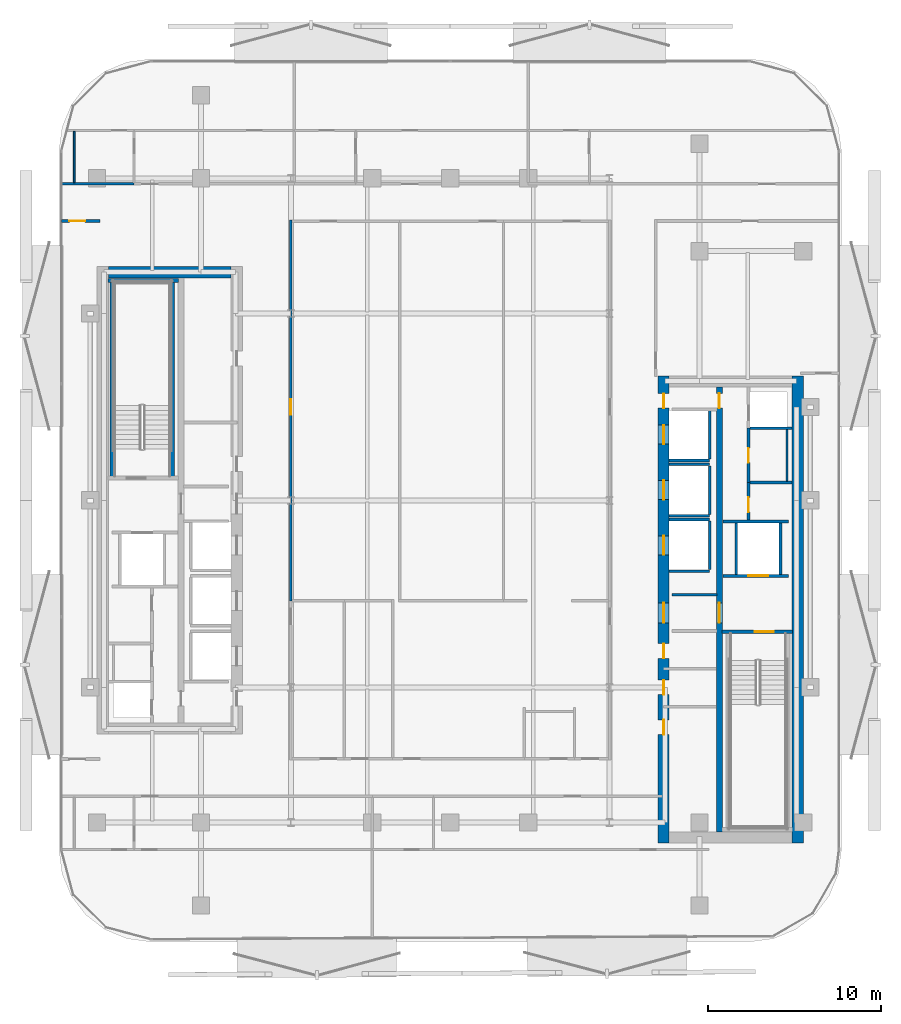
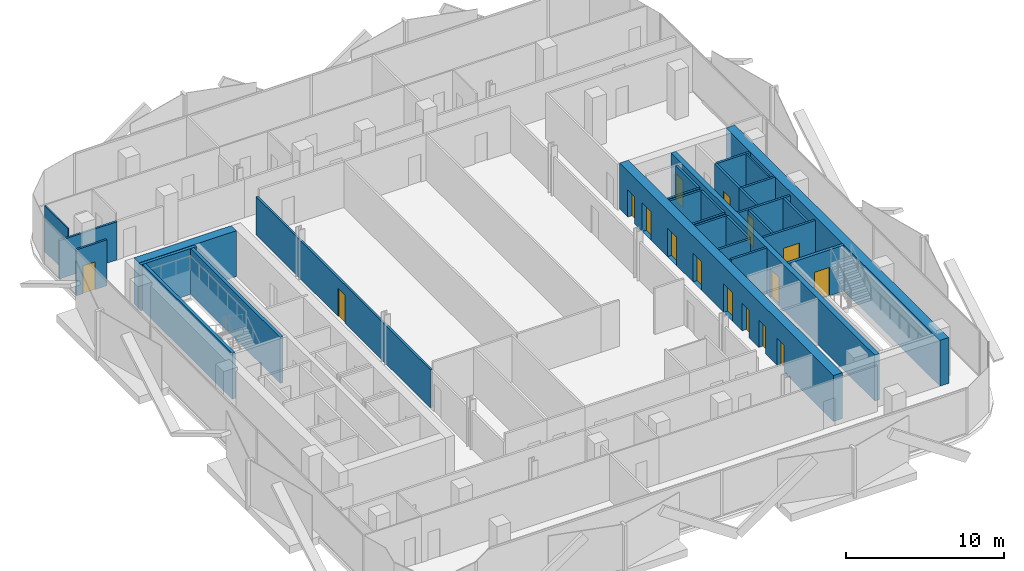
# One storey, part 5 of 16: 30 walls, 16 doors, 16 openings.
"""IFC4 building model written with IfcOpenShell, lengths in metres."""

from ifc_helpers import new_model, si_unit, direction, frame, frame_2d, origin, place, context, subcontext, project, spatial, rectangle, extrude, material, layer, layer_set, type_object, element, fill, save


model = new_model("IFC4")

# Units and contexts
model_context = context("Model", 3, precision=1e-05, world=origin(), true_north=direction((0.0, 1.0)))
body_context = subcontext(model_context, "Body", "Model", "MODEL_VIEW")
ifc_project = project(units=[si_unit("LENGTHUNIT", "METRE"), si_unit("AREAUNIT", "SQUARE_METRE"), si_unit("VOLUMEUNIT", "CUBIC_METRE"), si_unit("PLANEANGLEUNIT", "RADIAN"), si_unit("MASSUNIT", "GRAM", prefix="KILO")], contexts=[model_context])

# Site, building, storey
site_placement = place(None, origin())
site = spatial("IfcSite", under=ifc_project, at=site_placement, CompositionType="ELEMENT")
building_placement = place(site_placement, origin())
building = spatial("IfcBuilding", under=site, at=building_placement, Name="Khairoan Windgate Tower", CompositionType="ELEMENT")
storey_placement = place(building_placement, frame((0.0, 0.0, 184.0)))
storey = spatial("IfcBuildingStorey", under=building, at=storey_placement, Name="L42", CompositionType="ELEMENT", Elevation=184.0)

# Walls
ifc_material_1 = material(Name="Moisture-Resistant Gypsum Partition", Category="gypsum")
ifc_layer_1 = layer(ifc_material_1, 0.10009765625, Name="Moisture-Resistant Gypsum Partition")
ifc_layer_set_1 = layer_set([ifc_layer_1], Name="Moisture-Resistant Gypsum Partition")
wall_type_1 = type_object("IfcWallType", Name="Bathroom Wet-Area Partition Wall", PredefinedType="PARTITIONING", material=ifc_layer_set_1)
wall_1_placement = place(storey_placement, frame((19.449951171875, 4.090087890625, 0.0), z_axis=(0.0, 0.0, 1.0), x_axis=(0.0, -1.0, 0.0)))
element("IfcWall", 1, at=wall_1_placement, inside=storey, type_object=wall_type_1, Name="L42 Wet Room Side Wall 074", PredefinedType="PARTITIONING", context=body_context, shape_type="SweptSolid", body=[
    extrude(rectangle(XDim=2.97998046875, YDim=0.10009765625, at=frame_2d((1.489990234375, 0.0))), origin(), (0.0, 0.0, 1.0), 3.5400390625),
])
wall_2_placement = place(storey_placement, frame((-21.719970703125, 18.35498046875, 0.0), z_axis=(0.0, 0.0, 1.0), x_axis=(0.0, 1.0, 0.0)))
element("IfcWall", 2, at=wall_2_placement, inside=storey, type_object=wall_type_1, Name="L42 Wet Room Side Wall 076", PredefinedType="PARTITIONING", context=body_context, shape_type="SweptSolid", body=[
    extrude(rectangle(XDim=2.965087890625, YDim=0.10009765625, at=frame_2d((1.482421875, 0.0))), origin(), (0.0, 0.0, 1.0), 3.5400390625),
])
ifc_material_2 = material(Name="Concrete C40/50", Category="concrete")
ifc_layer_2 = layer(ifc_material_2, 0.159912109375, Name="Concrete C40/50")
ifc_layer_set_2 = layer_set([ifc_layer_2], Name="Concrete C40/50")
wall_type_2 = type_object("IfcWallType", Name="Core and Hoistway Enclosure Wall", PredefinedType="STANDARD", material=ifc_layer_set_2)
wall_3_placement = place(storey_placement, frame((12.64990234375, 2.31005859375, 0.0), z_axis=(0.0, 0.0, 1.0), x_axis=(1.0, 0.0, 0.0)))
element("IfcWall", 3, at=wall_3_placement, inside=storey, type_object=wall_type_2, Name="L42 Lift PL7 Hoistway Divider S", PredefinedType="STANDARD", context=body_context, shape_type="SweptSolid", body=[
    extrude(rectangle(XDim=2.340087890625, YDim=0.159912109375, at=frame_2d((1.169921875, 0.0))), origin(), (0.0, 0.0, 1.0), 3.5400390625),
])
wall_4_placement = place(storey_placement, frame((14.989990234375, 2.39990234375, 0.0), z_axis=(0.0, 0.0, 1.0), x_axis=(0.0, 1.0, 0.0)))
element("IfcWall", 4, at=wall_4_placement, inside=storey, type_object=wall_type_2, Name="L42 Lift PL7 Hoistway Back Wall", PredefinedType="STANDARD", context=body_context, shape_type="SweptSolid", body=[
    extrude(rectangle(XDim=2.800048828125, YDim=0.159912109375, at=frame_2d((1.39990234375, 0.0))), origin(), (0.0, 0.0, 1.0), 3.5400390625),
])
for number, where, z_axis, x_axis, name in (
    (5, (12.64990234375, -0.889892578125, 0.0), (0.0, 0.0, 1.0), (1.0, 0.0, 0.0), "L42 Lift PL8 Hoistway Divider S"),
    (6, (12.64990234375, 2.090087890625, 0.0), (0.0, 0.0, 1.0), (1.0, 0.0, 0.0), "L42 Lift PL8 Hoistway Divider N"),
):
    element("IfcWall", number, at=place(storey_placement, frame(where, z_axis=z_axis, x_axis=x_axis)), inside=storey, type_object=wall_type_2, Name=name, PredefinedType="STANDARD", context=body_context, shape_type="SweptSolid", body=[
        extrude(rectangle(XDim=2.340087890625, YDim=0.159912109375, at=frame_2d((1.169921875, 0.0))), origin(), (0.0, 0.0, 1.0), 3.5400390625),
    ])
wall_5_placement = place(storey_placement, frame((14.989990234375, -0.800048828125, 0.0), z_axis=(0.0, 0.0, 1.0), x_axis=(0.0, 1.0, 0.0)))
element("IfcWall", 7, at=wall_5_placement, inside=storey, type_object=wall_type_2, Name="L42 Lift PL8 Hoistway Back Wall", PredefinedType="STANDARD", context=body_context, shape_type="SweptSolid", body=[
    extrude(rectangle(XDim=2.800048828125, YDim=0.159912109375, at=frame_2d((1.39990234375, 0.0))), origin(), (0.0, 0.0, 1.0), 3.5400390625),
])
for number, where, z_axis, x_axis, name in (
    (8, (12.64990234375, -4.090087890625, 0.0), (0.0, 0.0, 1.0), (1.0, 0.0, 0.0), "L42 Lift PL9 Hoistway Divider S"),
    (9, (12.64990234375, -1.110107421875, 0.0), (0.0, 0.0, 1.0), (1.0, 0.0, 0.0), "L42 Lift PL9 Hoistway Divider N"),
):
    element("IfcWall", number, at=place(storey_placement, frame(where, z_axis=z_axis, x_axis=x_axis)), inside=storey, type_object=wall_type_2, Name=name, PredefinedType="STANDARD", context=body_context, shape_type="SweptSolid", body=[
        extrude(rectangle(XDim=2.340087890625, YDim=0.159912109375, at=frame_2d((1.169921875, 0.0))), origin(), (0.0, 0.0, 1.0), 3.5400390625),
    ])
wall_6_placement = place(storey_placement, frame((14.989990234375, -4.0, 0.0), z_axis=(0.0, 0.0, 1.0), x_axis=(0.0, 1.0, 0.0)))
element("IfcWall", 10, at=wall_6_placement, inside=storey, type_object=wall_type_2, Name="L42 Lift PL9 Hoistway Back Wall", PredefinedType="STANDARD", context=body_context, shape_type="SweptSolid", body=[
    extrude(rectangle(XDim=2.800048828125, YDim=0.159912109375, at=frame_2d((1.39990234375, 0.0))), origin(), (0.0, 0.0, 1.0), 3.5400390625),
])

# Wall, opening, door
wall_7_placement = place(storey_placement, frame((15.75, -4.360107421875, 0.0), z_axis=(0.0, 0.0, 1.0), x_axis=(1.0, 0.0, 0.0)))
wall_7 = element("IfcWall", 11, at=wall_7_placement, inside=storey, type_object=wall_type_2, Name="L42 Core Shaft Wall SW-FL1-L42", PredefinedType="STANDARD", context=body_context, shape_type="SweptSolid", body=[
    extrude(rectangle(XDim=3.800048828125, YDim=0.159912109375, at=frame_2d((1.89990234375, 0.0))), origin(), (0.0, 0.0, 1.0), 3.5400390625),
])
opening_1_placement = place(wall_7_placement, frame((1.469970703125, 0.0, 0.0)))
opening_1 = element("IfcOpeningElement", 12, at=opening_1_placement, cuts=wall_7, Name="Opening LD-FL", PredefinedType="OPENING", context=body_context, shape_type="SweptSolid", body=[
    extrude(rectangle(XDim=1.14990234375, YDim=2.199951171875, at=frame_2d((0.574951171875, 1.10009765625))), frame((0.0, 0.08984375, 0.0), z_axis=(0.0, -1.0, 0.0), x_axis=(1.0, 0.0, 0.0)), (0.0, 0.0, 1.0), 0.179931640625),
])
ifc_material_3 = material(Name="Steel S355", Category="steel")
door_type_1 = type_object("IfcDoorType", Name="Firefighting Lift Sliding Landing Door LD-FL 1150x2200", OperationType="DOUBLE_DOOR_SLIDING", PredefinedType="DOOR", material=ifc_material_3)
door_1_placement = place(opening_1_placement, origin())
door_1 = element("IfcDoor", 13, at=door_1_placement, inside=storey, type_object=door_type_1, Name="L42 Firefighting Lift FL1 Landing Door", OperationType="DOUBLE_DOOR_SLIDING", OverallHeight=2.199951171875, OverallWidth=1.14990234375, PredefinedType="DOOR", context=body_context, shape_type="SweptSolid", body=[
    extrude(rectangle(XDim=1.14990234375, YDim=2.199951171875, at=frame_2d((0.574951171875, 1.10009765625))), frame((0.0, 0.02490234375, 0.0), z_axis=(0.0, -1.0, 0.0), x_axis=(1.0, 0.0, 0.0)), (0.0, 0.0, 1.0), 0.050048828125),
])
fill(opening_1, door_1)

# Walls
wall_8_placement = place(storey_placement, frame((15.75, -1.219970703125, 0.0), z_axis=(0.0, 0.0, 1.0), x_axis=(1.0, 0.0, 0.0)))
element("IfcWall", 14, at=wall_8_placement, inside=storey, type_object=wall_type_2, Name="L42 Core Shaft Wall SW-FL1T-L42", PredefinedType="STANDARD", context=body_context, shape_type="SweptSolid", body=[
    extrude(rectangle(XDim=3.800048828125, YDim=0.159912109375, at=frame_2d((1.89990234375, 0.0))), origin(), (0.0, 0.0, 1.0), 3.5400390625),
])
for number, where, z_axis, x_axis, name in (
    (15, (16.52001953125, -4.280029296875, 0.0), (0.0, 0.0, 1.0), (0.0, 1.0, 0.0), "L42 Core Shaft Wall SW-FL1W-L42"),
    (16, (19.080078125, -4.280029296875, 0.0), (0.0, 0.0, 1.0), (0.0, 1.0, 0.0), "L42 Core Shaft Wall SW-FL1E-L42"),
):
    element("IfcWall", number, at=place(storey_placement, frame(where, z_axis=z_axis, x_axis=x_axis)), inside=storey, type_object=wall_type_2, Name=name, PredefinedType="STANDARD", context=body_context, shape_type="SweptSolid", body=[
        extrude(rectangle(XDim=2.97998046875, YDim=0.159912109375, at=frame_2d((1.489990234375, 0.0))), origin(), (0.0, 0.0, 1.0), 3.5400390625),
    ])
wall_9_placement = place(storey_placement, frame((12.800048828125, -5.449951171875, 0.0), z_axis=(0.0, 0.0, 1.0), x_axis=(1.0, 0.0, 0.0)))
element("IfcWall", 17, at=wall_9_placement, inside=storey, type_object=wall_type_2, Name="L42 Core Shaft Wall SW-EV1-L42", PredefinedType="STANDARD", context=body_context, shape_type="SweptSolid", body=[
    extrude(rectangle(XDim=2.599853515625, YDim=0.159912109375, at=frame_2d((1.2998046875, 0.0))), origin(), (0.0, 0.0, 1.0), 3.5400390625),
])

# Wall, opening, door
ifc_material_4 = material(Name="Concrete C40/50", Category="concrete")
ifc_layer_3 = layer(ifc_material_4, 0.159912109375, Name="Concrete C40/50")
ifc_layer_set_3 = layer_set([ifc_layer_3], Name="Concrete C40/50")
wall_type_3 = type_object("IfcWallType", Name="Plant and Refuge Compartment Wall", PredefinedType="PARTITIONING", material=ifc_layer_set_3)
wall_10_placement = place(storey_placement, frame((17.22998046875, -1.139892578125, 0.0), z_axis=(0.0, 0.0, 1.0), x_axis=(0.0, 1.0, 0.0)))
wall_10 = element("IfcWall", 18, at=wall_10_placement, inside=storey, type_object=wall_type_3, Name="L42 Interior Partition 008", PredefinedType="PARTITIONING", context=body_context, shape_type="SweptSolid", body=[
    extrude(rectangle(XDim=2.169921875, YDim=0.159912109375, at=frame_2d((1.0849609375, 0.0))), origin(), (0.0, 0.0, 1.0), 3.5400390625),
])
opening_2_placement = place(wall_10_placement, frame((0.4599609375, 0.0, 0.0)))
opening_2 = element("IfcOpeningElement", 19, at=opening_2_placement, cuts=wall_10, Name="Opening FD-SRV", PredefinedType="OPENING", context=body_context, shape_type="SweptSolid", body=[
    extrude(rectangle(XDim=0.85009765625, YDim=2.10009765625, at=frame_2d((0.425048828125, 1.050048828125))), frame((0.0, 0.08984375, 0.0), z_axis=(0.0, -1.0, 0.0), x_axis=(1.0, 0.0, 0.0)), (0.0, 0.0, 1.0), 0.179931640625),
])
ifc_material_5 = material(Name="Steel S355", Category="steel")
door_type_2 = type_object("IfcDoorType", Name="Core Service and Riser Fire Door FD-SRV 850x2100", OperationType="NOTDEFINED", PredefinedType="DOOR", material=ifc_material_5)
door_2_placement = place(opening_2_placement, origin())
door_2 = element("IfcDoor", 20, at=door_2_placement, inside=storey, type_object=door_type_2, Name="L42 L42-18-L42-20 Door", OperationType="SINGLE_SWING_LEFT", OverallHeight=2.10009765625, OverallWidth=0.85009765625, PredefinedType="DOOR", context=body_context, shape_type="SweptSolid", body=[
    extrude(rectangle(XDim=0.85009765625, YDim=2.10009765625, at=frame_2d((0.425048828125, 1.050048828125))), frame((0.0, 0.02490234375, 0.0), z_axis=(0.0, -1.0, 0.0), x_axis=(1.0, 0.0, 0.0)), (0.0, 0.0, 1.0), 0.050048828125),
])
fill(opening_2, door_2)

wall_11_placement = place(storey_placement, frame((17.22998046875, 1.030029296875, 0.0), z_axis=(0.0, 0.0, 1.0), x_axis=(0.0, 1.0, 0.0)))
wall_11 = element("IfcWall", 21, at=wall_11_placement, inside=storey, type_object=wall_type_3, Name="L42 Interior Partition 009", PredefinedType="PARTITIONING", context=body_context, shape_type="SweptSolid", body=[
    extrude(rectangle(XDim=3.139892578125, YDim=0.159912109375, at=frame_2d((1.56982421875, 0.0))), origin(), (0.0, 0.0, 1.0), 3.5400390625),
])
opening_3_placement = place(wall_11_placement, frame((1.14501953125, 0.0, 0.0)))
opening_3 = element("IfcOpeningElement", 22, at=opening_3_placement, cuts=wall_11, Name="Opening FD-SRV", PredefinedType="OPENING", context=body_context, shape_type="SweptSolid", body=[
    extrude(rectangle(XDim=0.85009765625, YDim=2.10009765625, at=frame_2d((0.425048828125, 1.050048828125))), frame((0.0, 0.08984375, 0.0), z_axis=(0.0, -1.0, 0.0), x_axis=(1.0, 0.0, 0.0)), (0.0, 0.0, 1.0), 0.179931640625),
])
door_3_placement = place(opening_3_placement, origin())
door_3 = element("IfcDoor", 23, at=door_3_placement, inside=storey, type_object=door_type_2, Name="L42 L42-18-L42-21 Door", OperationType="SINGLE_SWING_RIGHT", OverallHeight=2.10009765625, OverallWidth=0.85009765625, PredefinedType="DOOR", context=body_context, shape_type="SweptSolid", body=[
    extrude(rectangle(XDim=0.85009765625, YDim=2.10009765625, at=frame_2d((0.425048828125, 1.050048828125))), frame((0.0, 0.02490234375, 0.0), z_axis=(0.0, -1.0, 0.0), x_axis=(1.0, 0.0, 0.0)), (0.0, 0.0, 1.0), 0.050048828125),
])
fill(opening_3, door_3)

# Walls
for number, where, z_axis, x_axis, name in (
    (24, (17.31005859375, 4.169921875, 0.0), (0.0, 0.0, 1.0), (1.0, 0.0, 0.0), "L42 Interior Partition 010"),
    (25, (17.31005859375, 1.030029296875, 0.0), (0.0, 0.0, 1.0), (1.0, 0.0, 0.0), "L42 Interior Partition 011"),
):
    element("IfcWall", number, at=place(storey_placement, frame(where, z_axis=z_axis, x_axis=x_axis)), inside=storey, type_object=wall_type_3, Name=name, PredefinedType="PARTITIONING", context=body_context, shape_type="SweptSolid", body=[
        extrude(rectangle(XDim=2.43994140625, YDim=0.159912109375, at=frame_2d((1.219970703125, 0.0))), origin(), (0.0, 0.0, 1.0), 3.5400390625),
    ])

# Wall, opening, door
ifc_material_6 = material(Name="Acoustic Fire-Rated Gypsum Partition", Category="gypsum")
ifc_layer_4 = layer(ifc_material_6, 0.14990234375, Name="Acoustic Fire-Rated Gypsum Partition")
ifc_layer_set_4 = layer_set([ifc_layer_4], Name="Acoustic Fire-Rated Gypsum Partition")
wall_type_4 = type_object("IfcWallType", Name="Rated Corridor Partition Wall", PredefinedType="PARTITIONING", material=ifc_layer_set_4)
wall_12_placement = place(storey_placement, frame((-9.219970703125, -5.800048828125, 0.0), z_axis=(0.0, 0.0, 1.0), x_axis=(0.0, 1.0, 0.0)))
wall_12 = element("IfcWall", 26, at=wall_12_placement, inside=storey, type_object=wall_type_4, Name="L42 Interior Partition 015", PredefinedType="PARTITIONING", context=body_context, shape_type="SweptSolid", body=[
    extrude(rectangle(XDim=21.9951171875, YDim=0.14990234375, at=frame_2d((10.99755859375, 0.0))), origin(), (0.0, 0.0, 1.0), 2.951904296875),
])
opening_4_placement = place(wall_12_placement, frame((10.749267578125, 0.0, 0.0)))
opening_4 = element("IfcOpeningElement", 27, at=opening_4_placement, cuts=wall_12, Name="Opening FD-ENT", PredefinedType="OPENING", context=body_context, shape_type="SweptSolid", body=[
    extrude(rectangle(XDim=0.89990234375, YDim=2.14990234375, at=frame_2d((0.449951171875, 1.074951171875))), frame((0.0, 0.0849609375, 0.0), z_axis=(0.0, -1.0, 0.0), x_axis=(1.0, 0.0, 0.0)), (0.0, 0.0, 1.0), 0.169921875),
])
ifc_material_7 = material(Name="Timber Fire-Rated Core", Category="wood")
door_type_3 = type_object("IfcDoorType", Name="Unit and Office Fire Entrance Door FD-ENT 900x2150", OperationType="NOTDEFINED", PredefinedType="DOOR", material=ifc_material_7)
door_4_placement = place(opening_4_placement, origin())
door_4 = element("IfcDoor", 28, at=door_4_placement, inside=storey, type_object=door_type_3, Name="L42 L42-30-L42-39 Door", OperationType="SINGLE_SWING_RIGHT", OverallHeight=2.14990234375, OverallWidth=0.89990234375, PredefinedType="DOOR", context=body_context, shape_type="SweptSolid", body=[
    extrude(rectangle(XDim=0.89990234375, YDim=2.14990234375, at=frame_2d((0.449951171875, 1.074951171875))), frame((0.0, 0.02490234375, 0.0), z_axis=(0.0, -1.0, 0.0), x_axis=(1.0, 0.0, 0.0)), (0.0, 0.0, 1.0), 0.050048828125),
])
fill(opening_4, door_4)

# Wall
wall_13_placement = place(storey_placement, frame((-22.455078125, 18.280029296875, 0.0), z_axis=(0.0, 0.0, 1.0), x_axis=(1.0, 0.0, 0.0)))
element("IfcWall", 29, at=wall_13_placement, inside=storey, type_object=wall_type_4, Name="L42 Interior Partition 022", PredefinedType="PARTITIONING", context=body_context, shape_type="SweptSolid", body=[
    extrude(rectangle(XDim=4.195068359375, YDim=0.14990234375, at=frame_2d((2.09765625, 0.0))), origin(), (0.0, 0.0, 1.0), 2.951904296875),
])

# Wall, opening, door
wall_14_placement = place(storey_placement, frame((-22.455078125, 16.139892578125, 0.0), z_axis=(0.0, 0.0, 1.0), x_axis=(1.0, 0.0, 0.0)))
wall_14 = element("IfcWall", 30, at=wall_14_placement, inside=storey, type_object=wall_type_4, Name="L42 Interior Partition 029", PredefinedType="PARTITIONING", context=body_context, shape_type="SweptSolid", body=[
    extrude(rectangle(XDim=2.215087890625, YDim=0.14990234375, at=frame_2d((1.107421875, 0.0))), origin(), (0.0, 0.0, 1.0), 3.5400390625),
])
opening_5_placement = place(wall_14_placement, frame((0.4599609375, 0.0, 0.0)))
opening_5 = element("IfcOpeningElement", 31, at=opening_5_placement, cuts=wall_14, Name="Opening FD-ENT", PredefinedType="OPENING", context=body_context, shape_type="SweptSolid", body=[
    extrude(rectangle(XDim=0.89990234375, YDim=2.14990234375, at=frame_2d((0.449951171875, 1.074951171875))), frame((0.0, 0.0849609375, 0.0), z_axis=(0.0, -1.0, 0.0), x_axis=(1.0, 0.0, 0.0)), (0.0, 0.0, 1.0), 0.169921875),
])
door_5_placement = place(opening_5_placement, origin())
door_5 = element("IfcDoor", 32, at=door_5_placement, inside=storey, type_object=door_type_3, Name="L42 L42-32-L42-58 Door", OperationType="SINGLE_SWING_LEFT", OverallHeight=2.14990234375, OverallWidth=0.89990234375, PredefinedType="DOOR", context=body_context, shape_type="SweptSolid", body=[
    extrude(rectangle(XDim=0.89990234375, YDim=2.14990234375, at=frame_2d((0.449951171875, 1.074951171875))), frame((0.0, 0.02490234375, 0.0), z_axis=(0.0, -1.0, 0.0), x_axis=(1.0, 0.0, 0.0)), (0.0, 0.0, 1.0), 0.050048828125),
])
fill(opening_5, door_5)

# Wall, openings, doors
ifc_material_8 = material(Name="Concrete C60/75", Category="concrete")
ifc_layer_5 = layer(ifc_material_8, 0.64990234375, Name="Concrete C60/75")
ifc_layer_set_5 = layer_set([ifc_layer_5], Name="Concrete C60/75")
wall_type_5 = type_object("IfcWallType", Name="Shear Wall CW-E2 650mm", PredefinedType="SHEAR", material=ifc_layer_set_5)
wall_15_placement = place(storey_placement, frame((12.324951171875, -19.800048828125, 0.0), z_axis=(0.0, 0.0, 1.0), x_axis=(0.0, 1.0, 0.0)))
wall_15 = element("IfcWall", 33, at=wall_15_placement, inside=storey, type_object=wall_type_5, Name="E Core West Shear Wall L42", PredefinedType="SHEAR", context=body_context, shape_type="SweptSolid", body=[
    extrude(rectangle(XDim=27.0, YDim=0.64990234375, at=frame_2d((13.5, 0.0))), origin(), (0.0, 0.0, 1.0), 3.5400390625),
])
opening_6_placement = place(wall_15_placement, frame((23.050048828125, 0.0, 0.0)))
opening_6 = element("IfcOpeningElement", 34, at=opening_6_placement, cuts=wall_15, Name="Opening LD-PL", PredefinedType="OPENING", context=body_context, shape_type="SweptSolid", body=[
    extrude(rectangle(XDim=1.10009765625, YDim=2.199951171875, at=frame_2d((0.550048828125, 1.10009765625))), frame((0.0, 0.3349609375, 0.0), z_axis=(0.0, -1.0, 0.0), x_axis=(1.0, 0.0, 0.0)), (0.0, 0.0, 1.0), 0.669921875),
])
opening_7_placement = place(wall_15_placement, frame((19.85009765625, 0.0, 0.0)))
opening_7 = element("IfcOpeningElement", 35, at=opening_7_placement, cuts=wall_15, Name="Opening LD-PL", PredefinedType="OPENING", context=body_context, shape_type="SweptSolid", body=[
    extrude(rectangle(XDim=1.10009765625, YDim=2.199951171875, at=frame_2d((0.550048828125, 1.10009765625))), frame((0.0, 0.3349609375, 0.0), z_axis=(0.0, -1.0, 0.0), x_axis=(1.0, 0.0, 0.0)), (0.0, 0.0, 1.0), 0.669921875),
])
opening_8_placement = place(wall_15_placement, frame((16.64990234375, 0.0, 0.0)))
opening_8 = element("IfcOpeningElement", 36, at=opening_8_placement, cuts=wall_15, Name="Opening LD-PL", PredefinedType="OPENING", context=body_context, shape_type="SweptSolid", body=[
    extrude(rectangle(XDim=1.10009765625, YDim=2.199951171875, at=frame_2d((0.550048828125, 1.10009765625))), frame((0.0, 0.3349609375, 0.0), z_axis=(0.0, -1.0, 0.0), x_axis=(1.0, 0.0, 0.0)), (0.0, 0.0, 1.0), 0.669921875),
])
opening_9_placement = place(wall_15_placement, frame((6.27490234375, 0.0, 0.0)))
opening_9 = element("IfcOpeningElement", 37, at=opening_9_placement, cuts=wall_15, Name="Opening FD-SRV", PredefinedType="OPENING", context=body_context, shape_type="SweptSolid", body=[
    extrude(rectangle(XDim=0.85009765625, YDim=2.10009765625, at=frame_2d((0.425048828125, 1.050048828125))), frame((0.0, 0.3349609375, 0.0), z_axis=(0.0, -1.0, 0.0), x_axis=(1.0, 0.0, 0.0)), (0.0, 0.0, 1.0), 0.669921875),
])
opening_10_placement = place(wall_15_placement, frame((8.574951171875, 0.0, 0.0)))
opening_10 = element("IfcOpeningElement", 38, at=opening_10_placement, cuts=wall_15, Name="Opening FD-SRV", PredefinedType="OPENING", context=body_context, shape_type="SweptSolid", body=[
    extrude(rectangle(XDim=0.85009765625, YDim=2.10009765625, at=frame_2d((0.425048828125, 1.050048828125))), frame((0.0, 0.3349609375, 0.0), z_axis=(0.0, -1.0, 0.0), x_axis=(1.0, 0.0, 0.0)), (0.0, 0.0, 1.0), 0.669921875),
])
opening_11_placement = place(wall_15_placement, frame((10.675048828125, 0.0, 0.0)))
opening_11 = element("IfcOpeningElement", 39, at=opening_11_placement, cuts=wall_15, Name="Opening FD-SRV", PredefinedType="OPENING", context=body_context, shape_type="SweptSolid", body=[
    extrude(rectangle(XDim=0.85009765625, YDim=2.10009765625, at=frame_2d((0.425048828125, 1.050048828125))), frame((0.0, 0.3349609375, 0.0), z_axis=(0.0, -1.0, 0.0), x_axis=(1.0, 0.0, 0.0)), (0.0, 0.0, 1.0), 0.669921875),
])
opening_12_placement = place(wall_15_placement, frame((12.72509765625, 0.0, 0.0)))
opening_12 = element("IfcOpeningElement", 40, at=opening_12_placement, cuts=wall_15, Name="Opening FD-FFL", PredefinedType="OPENING", context=body_context, shape_type="SweptSolid", body=[
    extrude(rectangle(XDim=1.14990234375, YDim=2.199951171875, at=frame_2d((0.574951171875, 1.10009765625))), frame((0.0, 0.3349609375, 0.0), z_axis=(0.0, -1.0, 0.0), x_axis=(1.0, 0.0, 0.0)), (0.0, 0.0, 1.0), 0.669921875),
])
opening_13_placement = place(wall_15_placement, frame((25.125, 0.0, 0.0)))
opening_13 = element("IfcOpeningElement", 41, at=opening_13_placement, cuts=wall_15, Name="Opening FD-SRV", PredefinedType="OPENING", context=body_context, shape_type="SweptSolid", body=[
    extrude(rectangle(XDim=0.85009765625, YDim=2.10009765625, at=frame_2d((0.425048828125, 1.050048828125))), frame((0.0, 0.3349609375, 0.0), z_axis=(0.0, -1.0, 0.0), x_axis=(1.0, 0.0, 0.0)), (0.0, 0.0, 1.0), 0.669921875),
])
door_6_placement = place(opening_9_placement, origin())
door_6 = element("IfcDoor", 42, at=door_6_placement, inside=storey, type_object=door_type_2, Name="L42 East Core Service Room Door 1", OperationType="SINGLE_SWING_RIGHT", OverallHeight=2.10009765625, OverallWidth=0.85009765625, PredefinedType="DOOR", context=body_context, shape_type="SweptSolid", body=[
    extrude(rectangle(XDim=0.85009765625, YDim=2.10009765625, at=frame_2d((0.425048828125, 1.050048828125))), frame((0.0, 0.02490234375, 0.0), z_axis=(0.0, -1.0, 0.0), x_axis=(1.0, 0.0, 0.0)), (0.0, 0.0, 1.0), 0.050048828125),
])
fill(opening_9, door_6)
door_7_placement = place(opening_10_placement, origin())
door_7 = element("IfcDoor", 43, at=door_7_placement, inside=storey, type_object=door_type_2, Name="L42 East Core Service Room Door 2", OperationType="SINGLE_SWING_LEFT", OverallHeight=2.10009765625, OverallWidth=0.85009765625, PredefinedType="DOOR", context=body_context, shape_type="SweptSolid", body=[
    extrude(rectangle(XDim=0.85009765625, YDim=2.10009765625, at=frame_2d((0.425048828125, 1.050048828125))), frame((0.0, 0.02490234375, 0.0), z_axis=(0.0, -1.0, 0.0), x_axis=(1.0, 0.0, 0.0)), (0.0, 0.0, 1.0), 0.050048828125),
])
fill(opening_10, door_7)
door_8_placement = place(opening_11_placement, origin())
door_8 = element("IfcDoor", 44, at=door_8_placement, inside=storey, type_object=door_type_2, Name="L42 East Core Service Room Door 3", OperationType="SINGLE_SWING_RIGHT", OverallHeight=2.10009765625, OverallWidth=0.85009765625, PredefinedType="DOOR", context=body_context, shape_type="SweptSolid", body=[
    extrude(rectangle(XDim=0.85009765625, YDim=2.10009765625, at=frame_2d((0.425048828125, 1.050048828125))), frame((0.0, 0.02490234375, 0.0), z_axis=(0.0, -1.0, 0.0), x_axis=(1.0, 0.0, 0.0)), (0.0, 0.0, 1.0), 0.050048828125),
])
fill(opening_11, door_8)
door_9_placement = place(opening_13_placement, origin())
door_9 = element("IfcDoor", 45, at=door_9_placement, inside=storey, type_object=door_type_2, Name="L42 East Core Service Vestibule Outer Door", OperationType="SINGLE_SWING_LEFT", OverallHeight=2.10009765625, OverallWidth=0.85009765625, PredefinedType="DOOR", context=body_context, shape_type="SweptSolid", body=[
    extrude(rectangle(XDim=0.85009765625, YDim=2.10009765625, at=frame_2d((0.425048828125, 1.050048828125))), frame((0.0, 0.02490234375, 0.0), z_axis=(0.0, -1.0, 0.0), x_axis=(1.0, 0.0, 0.0)), (0.0, 0.0, 1.0), 0.050048828125),
])
fill(opening_13, door_9)
ifc_material_9 = material(Name="Steel S355", Category="steel")
door_type_4 = type_object("IfcDoorType", Name="Firefighting Lobby Fire Door FD-FFL 1150x2200", OperationType="NOTDEFINED", PredefinedType="DOOR", material=ifc_material_9)
door_10_placement = place(opening_12_placement, origin())
door_10 = element("IfcDoor", 46, at=door_10_placement, inside=storey, type_object=door_type_4, Name="L42 East Core Vestibule Entry Door", OperationType="SINGLE_SWING_LEFT", OverallHeight=2.199951171875, OverallWidth=1.14990234375, PredefinedType="DOOR", context=body_context, shape_type="SweptSolid", body=[
    extrude(rectangle(XDim=1.14990234375, YDim=2.199951171875, at=frame_2d((0.574951171875, 1.10009765625))), frame((0.0, 0.02490234375, 0.0), z_axis=(0.0, -1.0, 0.0), x_axis=(1.0, 0.0, 0.0)), (0.0, 0.0, 1.0), 0.050048828125),
])
fill(opening_12, door_10)
ifc_material_10 = material(Name="Anodised Bronze Aluminium 6063-T6", Category="aluminium")
door_type_5 = type_object("IfcDoorType", Name="Passenger Lift Sliding Landing Door LD-PL 1100x2200", OperationType="DOUBLE_DOOR_SLIDING", PredefinedType="DOOR", material=ifc_material_10)
door_11_placement = place(opening_6_placement, origin())
door_11 = element("IfcDoor", 47, at=door_11_placement, inside=storey, type_object=door_type_5, Name="L42 Lift PL7 Sliding Landing Door", OperationType="DOUBLE_DOOR_SLIDING", OverallHeight=2.199951171875, OverallWidth=1.10009765625, PredefinedType="DOOR", context=body_context, shape_type="SweptSolid", body=[
    extrude(rectangle(XDim=1.10009765625, YDim=2.199951171875, at=frame_2d((0.550048828125, 1.10009765625))), frame((0.0, 0.02490234375, 0.0), z_axis=(0.0, -1.0, 0.0), x_axis=(1.0, 0.0, 0.0)), (0.0, 0.0, 1.0), 0.050048828125),
])
fill(opening_6, door_11)
door_12_placement = place(opening_7_placement, origin())
door_12 = element("IfcDoor", 48, at=door_12_placement, inside=storey, type_object=door_type_5, Name="L42 Lift PL8 Sliding Landing Door", OperationType="DOUBLE_DOOR_SLIDING", OverallHeight=2.199951171875, OverallWidth=1.10009765625, PredefinedType="DOOR", context=body_context, shape_type="SweptSolid", body=[
    extrude(rectangle(XDim=1.10009765625, YDim=2.199951171875, at=frame_2d((0.550048828125, 1.10009765625))), frame((0.0, 0.02490234375, 0.0), z_axis=(0.0, -1.0, 0.0), x_axis=(1.0, 0.0, 0.0)), (0.0, 0.0, 1.0), 0.050048828125),
])
fill(opening_7, door_12)
door_13_placement = place(opening_8_placement, origin())
door_13 = element("IfcDoor", 49, at=door_13_placement, inside=storey, type_object=door_type_5, Name="L42 Lift PL9 Sliding Landing Door", OperationType="DOUBLE_DOOR_SLIDING", OverallHeight=2.199951171875, OverallWidth=1.10009765625, PredefinedType="DOOR", context=body_context, shape_type="SweptSolid", body=[
    extrude(rectangle(XDim=1.10009765625, YDim=2.199951171875, at=frame_2d((0.550048828125, 1.10009765625))), frame((0.0, 0.02490234375, 0.0), z_axis=(0.0, -1.0, 0.0), x_axis=(1.0, 0.0, 0.0)), (0.0, 0.0, 1.0), 0.050048828125),
])
fill(opening_8, door_13)

# Walls
wall_16_placement = place(storey_placement, frame((20.074951171875, -19.800048828125, 0.0), z_axis=(0.0, 0.0, 1.0), x_axis=(0.0, 1.0, 0.0)))
element("IfcWall", 50, at=wall_16_placement, inside=storey, type_object=wall_type_5, Name="E Core East Shear Wall L42", PredefinedType="SHEAR", context=body_context, shape_type="SweptSolid", body=[
    extrude(rectangle(XDim=27.0, YDim=0.64990234375, at=frame_2d((13.5, 0.0))), origin(), (0.0, 0.0, 1.0), 3.5400390625),
])
ifc_material_11 = material(Name="Concrete C60/75", Category="concrete")
ifc_layer_6 = layer(ifc_material_11, 0.64990234375, Name="Concrete C60/75")
ifc_layer_set_6 = layer_set([ifc_layer_6], Name="Concrete C60/75")
wall_type_6 = type_object("IfcWallType", Name="Shear Wall CW-W2 650mm", PredefinedType="SHEAR", material=ifc_layer_set_6)
wall_17_placement = place(storey_placement, frame((-19.75, 13.175048828125, 0.0), z_axis=(0.0, 0.0, 1.0), x_axis=(1.0, 0.0, 0.0)))
element("IfcWall", 51, at=wall_17_placement, inside=storey, type_object=wall_type_6, Name="W Core North Shear Wall L42", PredefinedType="SHEAR", context=body_context, shape_type="SweptSolid", body=[
    extrude(rectangle(XDim=7.10009765625, YDim=0.64990234375, at=frame_2d((3.550048828125, 0.0))), origin(), (0.0, 0.0, 1.0), 3.5400390625),
])

# Wall, openings, doors
ifc_material_12 = material(Name="Concrete C60/75", Category="concrete")
ifc_layer_7 = layer(ifc_material_12, 0.35009765625, Name="Concrete C60/75")
ifc_layer_set_7 = layer_set([ifc_layer_7], Name="Concrete C60/75")
wall_type_7 = type_object("IfcWallType", Name="Shear Wall SW-1 350mm", PredefinedType="SHEAR", material=ifc_layer_set_7)
wall_18_placement = place(storey_placement, frame((15.550048828125, -19.14990234375, 0.0), z_axis=(0.0, 0.0, 1.0), x_axis=(0.0, 1.0, 0.0)))
wall_18 = element("IfcWall", 52, at=wall_18_placement, inside=storey, type_object=wall_type_7, Name="E Core Spine Shear Wall L42", PredefinedType="SHEAR", context=body_context, shape_type="SweptSolid", body=[
    extrude(rectangle(XDim=25.699951171875, YDim=0.35009765625, at=frame_2d((12.85009765625, 0.0))), origin(), (0.0, 0.0, 1.0), 3.5400390625),
])
opening_14_placement = place(wall_18_placement, frame((12.074951171875, 0.0, 0.0)))
opening_14 = element("IfcOpeningElement", 53, at=opening_14_placement, cuts=wall_18, Name="Opening FD-FFL", PredefinedType="OPENING", context=body_context, shape_type="SweptSolid", body=[
    extrude(rectangle(XDim=1.14990234375, YDim=2.199951171875, at=frame_2d((0.574951171875, 1.10009765625))), frame((0.0, 0.18505859375, 0.0), z_axis=(0.0, -1.0, 0.0), x_axis=(1.0, 0.0, 0.0)), (0.0, 0.0, 1.0), 0.3701171875),
])
opening_15_placement = place(wall_18_placement, frame((24.47509765625, 0.0, 0.0)))
opening_15 = element("IfcOpeningElement", 54, at=opening_15_placement, cuts=wall_18, Name="Opening FD-SRV", PredefinedType="OPENING", context=body_context, shape_type="SweptSolid", body=[
    extrude(rectangle(XDim=0.85009765625, YDim=2.10009765625, at=frame_2d((0.425048828125, 1.050048828125))), frame((0.0, 0.18505859375, 0.0), z_axis=(0.0, -1.0, 0.0), x_axis=(1.0, 0.0, 0.0)), (0.0, 0.0, 1.0), 0.3701171875),
])
door_14_placement = place(opening_15_placement, origin())
door_14 = element("IfcDoor", 55, at=door_14_placement, inside=storey, type_object=door_type_2, Name="L42 East Core Service Passage Inner Door", OperationType="SINGLE_SWING_RIGHT", OverallHeight=2.10009765625, OverallWidth=0.85009765625, PredefinedType="DOOR", context=body_context, shape_type="SweptSolid", body=[
    extrude(rectangle(XDim=0.85009765625, YDim=2.10009765625, at=frame_2d((0.425048828125, 1.050048828125))), frame((0.0, 0.02490234375, 0.0), z_axis=(0.0, -1.0, 0.0), x_axis=(1.0, 0.0, 0.0)), (0.0, 0.0, 1.0), 0.050048828125),
])
fill(opening_15, door_14)
door_15_placement = place(opening_14_placement, origin())
door_15 = element("IfcDoor", 56, at=door_15_placement, inside=storey, type_object=door_type_4, Name="L42 East Firefighting Lobby Fire Door", OperationType="SINGLE_SWING_RIGHT", OverallHeight=2.199951171875, OverallWidth=1.14990234375, PredefinedType="DOOR", context=body_context, shape_type="SweptSolid", body=[
    extrude(rectangle(XDim=1.14990234375, YDim=2.199951171875, at=frame_2d((0.574951171875, 1.10009765625))), frame((0.0, 0.02490234375, 0.0), z_axis=(0.0, -1.0, 0.0), x_axis=(1.0, 0.0, 0.0)), (0.0, 0.0, 1.0), 0.050048828125),
])
fill(opening_14, door_15)

# Wall, opening, door
ifc_material_13 = material(Name="Concrete C50/60", Category="concrete")
ifc_layer_8 = layer(ifc_material_13, 0.219970703125, Name="Concrete C50/60")
ifc_layer_set_8 = layer_set([ifc_layer_8], Name="Concrete C50/60")
wall_type_8 = type_object("IfcWallType", Name="Shear Wall SW-ST 220mm", PredefinedType="SHEAR", material=ifc_layer_set_8)
wall_19_placement = place(storey_placement, frame((19.77001953125, -7.590087890625, 0.0), z_axis=(0.0, 0.0, 1.0), x_axis=(-1.0, 0.0, 0.0)))
wall_19 = element("IfcWall", 57, at=wall_19_placement, inside=storey, type_object=wall_type_8, Name="L42 Stair ST1 North Bearing Wall", PredefinedType="SHEAR", context=body_context, shape_type="SweptSolid", body=[
    extrude(rectangle(XDim=4.06494140625, YDim=0.219970703125, at=frame_2d((2.032470703125, 0.0))), origin(), (0.0, 0.0, 1.0), 3.5400390625),
])
opening_16_placement = place(wall_19_placement, frame((1.080078125, 0.0, 0.0)))
opening_16 = element("IfcOpeningElement", 58, at=opening_16_placement, cuts=wall_19, Name="Opening FD-ST", PredefinedType="OPENING", context=body_context, shape_type="SweptSolid", body=[
    extrude(rectangle(XDim=1.10009765625, YDim=2.199951171875, at=frame_2d((0.550048828125, 1.10009765625))), frame((0.0, 0.119873046875, 0.0), z_axis=(0.0, -1.0, 0.0), x_axis=(1.0, 0.0, 0.0)), (0.0, 0.0, 1.0), 0.239990234375),
])
ifc_material_14 = material(Name="Steel S355", Category="steel")
door_type_6 = type_object("IfcDoorType", Name="Smokeproof Stair Fire Door FD-ST 1100x2200", OperationType="NOTDEFINED", PredefinedType="DOOR", material=ifc_material_14)
door_16_placement = place(opening_16_placement, origin())
door_16 = element("IfcDoor", 59, at=door_16_placement, inside=storey, type_object=door_type_6, Name="L42 Stair ST1 Fire Door", OperationType="SINGLE_SWING_RIGHT", OverallHeight=2.199951171875, OverallWidth=1.10009765625, PredefinedType="DOOR", context=body_context, shape_type="SweptSolid", body=[
    extrude(rectangle(XDim=1.10009765625, YDim=2.199951171875, at=frame_2d((0.550048828125, 1.10009765625))), frame((0.0, 0.02490234375, 0.0), z_axis=(0.0, -1.0, 0.0), x_axis=(1.0, 0.0, 0.0)), (0.0, 0.0, 1.0), 0.050048828125),
])
fill(opening_16, door_16)

# Walls
for number, where, z_axis, x_axis, name in (
    (60, (-16.0400390625, 1.2900390625, 0.0), (0.0, 0.0, 1.0), (0.0, 1.0, 0.0), "L42 Stair ST2 East Bearing Wall"),
    (61, (-19.530029296875, 1.2900390625, 0.0), (0.0, 0.0, 1.0), (0.0, 1.0, 0.0), "L42 Stair ST2 West Bearing Wall"),
):
    element("IfcWall", number, at=place(storey_placement, frame(where, z_axis=z_axis, x_axis=x_axis)), inside=storey, type_object=wall_type_8, Name=name, PredefinedType="SHEAR", context=body_context, shape_type="SweptSolid", body=[
        extrude(rectangle(XDim=11.419921875, YDim=0.219970703125, at=frame_2d((5.7099609375, 0.0))), origin(), (0.0, 0.0, 1.0), 3.5400390625),
    ])
wall_20_placement = place(storey_placement, frame((-19.77001953125, 12.7099609375, 0.0), z_axis=(0.0, 0.0, 1.0), x_axis=(1.0, 0.0, 0.0)))
element("IfcWall", 62, at=wall_20_placement, inside=storey, type_object=wall_type_8, Name="L42 Stair ST2 North Bearing Wall", PredefinedType="SHEAR", context=body_context, shape_type="SweptSolid", body=[
    extrude(rectangle(XDim=4.06494140625, YDim=0.219970703125, at=frame_2d((2.032470703125, 0.0))), origin(), (0.0, 0.0, 1.0), 3.5400390625),
])

save(model, "model.ifc")
